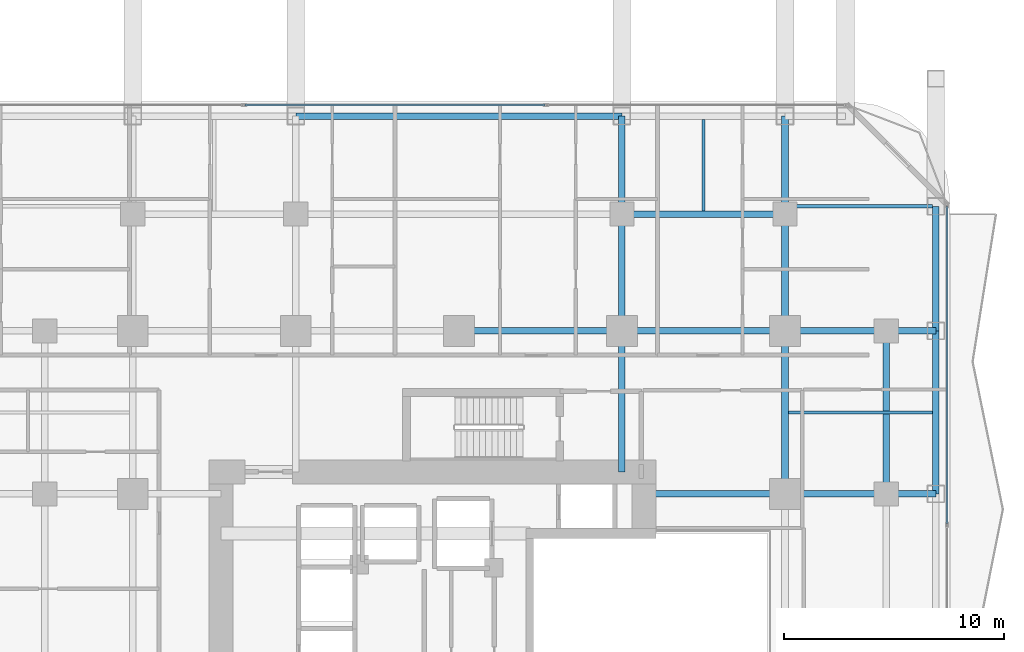
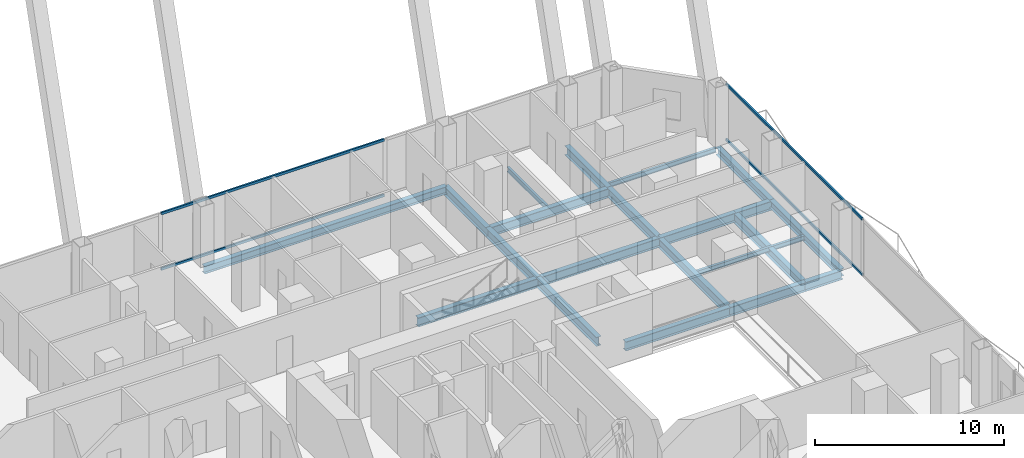
# One storey, part 18 of 33: 21 beams, 4 members, 2 elements without a shape of their own.
"""IFC4 building model written with IfcOpenShell, lengths in metres."""

from ifc_helpers import new_model, si_unit, direction, frame, origin, origin_2d, place, context, subcontext, project, spatial, hollow_rectangle, i_section, extrude, material, layer, layer_set, material_profile, profile_set, type_object, element, aggregate, save


model = new_model("IFC4")

# Units and contexts
model_context = context("Model", 3, precision=1e-05, world=origin(), true_north=direction((0.0, 1.0)))
body_context = subcontext(model_context, "Body", "Model", "MODEL_VIEW")
ifc_project = project(units=[si_unit("LENGTHUNIT", "METRE"), si_unit("AREAUNIT", "SQUARE_METRE"), si_unit("VOLUMEUNIT", "CUBIC_METRE"), si_unit("PLANEANGLEUNIT", "RADIAN"), si_unit("MASSUNIT", "GRAM", prefix="KILO")], contexts=[model_context])

# Site, building, storey
site_placement = place(None, origin())
site = spatial("IfcSite", under=ifc_project, at=site_placement, CompositionType="ELEMENT")
building_placement = place(site_placement, origin())
building = spatial("IfcBuilding", under=site, at=building_placement, Name="Khorvyn Point Tower", CompositionType="ELEMENT")
storey_placement = place(building_placement, frame((0.0, 0.0, 65.699951171875)))
storey = spatial("IfcBuildingStorey", under=building, at=storey_placement, Name="L17", CompositionType="ELEMENT", Elevation=65.699951171875)

# Curtain wall, members
ifc_material_1 = material(Name="Anodised aluminium 6063-T6 and laminated Low-E glass", Category="aluminium")
ifc_layer = layer(ifc_material_1, 0.18994140625)
ifc_layer_set = layer_set([ifc_layer], Name="Stick-Built Finned Residential Curtain Wall CW-SYS-02")
curtain_wall_type = type_object("IfcCurtainWallType", Name="Stick-Built Finned Residential Curtain Wall CW-SYS-02", PredefinedType="NOTDEFINED", material=ifc_layer_set)
curtain_wall_1_placement = place(storey_placement, origin())
curtain_wall_1 = element("IfcCurtainWall", 1, at=curtain_wall_1_placement, inside=storey, type_object=curtain_wall_type, Name="Curtain Wall", PredefinedType="NOTDEFINED")
ifc_material_2 = material(Name="Anodised aluminium 6063-T6", Category="aluminium")
ifc_material_profile_1 = material_profile(ifc_material_2, hollow_rectangle(XDim=0.10009765625, YDim=0.159912109375, WallThickness=0.00439453125, at=origin_2d()))
ifc_profile_set_1 = profile_set([ifc_material_profile_1], Name="Anodised aluminium 6063-T6 ALU-TRN-100x160")
member_type = type_object("IfcMemberType", Name="Anodised Aluminium 6063-T6 Transom ALU-TRN-100x160", PredefinedType="USERDEFINED", material=ifc_profile_set_1)
member_1_placement = place(storey_placement, frame((-9.699951171875, 25.050048828125, 0.050048828125), z_axis=(1.0, 0.0, 0.0), x_axis=(0.0, 1.0, 0.0)))
member_1 = element("IfcMember", 2, at=member_1_placement, type_object=member_type, Name="Transom", ObjectType="TRANSOM", PredefinedType="USERDEFINED", context=body_context, shape_type="SweptSolid", body=[
    extrude(hollow_rectangle(XDim=0.10009765625, YDim=0.159912109375, WallThickness=0.00439453125, at=origin_2d()), origin(), (0.0, 0.0, 1.0), 13.599853515625),
])
member_2_placement = place(storey_placement, frame((-9.699951171875, 25.050048828125, 3.630126953125), z_axis=(1.0, 0.0, 0.0), x_axis=(0.0, 1.0, 0.0)))
member_2 = element("IfcMember", 3, at=member_2_placement, type_object=member_type, Name="Transom", ObjectType="TRANSOM", PredefinedType="USERDEFINED", context=body_context, shape_type="SweptSolid", body=[
    extrude(hollow_rectangle(XDim=0.10009765625, YDim=0.159912109375, WallThickness=0.00439453125, at=origin_2d()), origin(), (0.0, 0.0, 1.0), 13.599853515625),
])
aggregate(curtain_wall_1, [member_1, member_2])

curtain_wall_2_placement = place(storey_placement, origin())
curtain_wall_2 = element("IfcCurtainWall", 4, at=curtain_wall_2_placement, inside=storey, type_object=curtain_wall_type, Name="Curtain Wall", PredefinedType="NOTDEFINED")
member_3_placement = place(storey_placement, frame((22.14990234375, 20.449951171875, 0.050048828125), z_axis=(0.0, -1.0, 0.0), x_axis=(1.0, 0.0, 0.0)))
member_3 = element("IfcMember", 5, at=member_3_placement, type_object=member_type, Name="Transom", ObjectType="TRANSOM", PredefinedType="USERDEFINED", context=body_context, shape_type="SweptSolid", body=[
    extrude(hollow_rectangle(XDim=0.10009765625, YDim=0.159912109375, WallThickness=0.00439453125, at=origin_2d()), origin(), (0.0, 0.0, 1.0), 14.39892578125),
])
member_4_placement = place(storey_placement, frame((22.14990234375, 20.449951171875, 3.630126953125), z_axis=(0.0, -1.0, 0.0), x_axis=(1.0, 0.0, 0.0)))
member_4 = element("IfcMember", 6, at=member_4_placement, type_object=member_type, Name="Transom", ObjectType="TRANSOM", PredefinedType="USERDEFINED", context=body_context, shape_type="SweptSolid", body=[
    extrude(hollow_rectangle(XDim=0.10009765625, YDim=0.159912109375, WallThickness=0.00439453125, at=origin_2d()), origin(), (0.0, 0.0, 1.0), 14.39892578125),
])
aggregate(curtain_wall_2, [member_3, member_4])

# Beams
ifc_material_3 = material(Name="Steel S355", Category="steel")
ifc_material_profile_2 = material_profile(ifc_material_3, i_section(OverallWidth=0.300048828125, OverallDepth=0.587890625, WebThickness=0.011962890625, FlangeThickness=0.02001953125, at=origin_2d()))
ifc_profile_set_2 = profile_set([ifc_material_profile_2], Name="Steel S355 H588x300x12x20")
beam_type_1 = type_object("IfcBeamType", Name="Steel S355 Beam H588x300x12x20", PredefinedType="BEAM", material=ifc_profile_set_2)
beam_1_placement = place(storey_placement, frame((0.0, 14.800048828125, -0.513916015625), z_axis=(1.0, 0.0, 0.0), x_axis=(0.0, 1.0, 0.0)))
element("IfcBeam", 7, at=beam_1_placement, inside=storey, type_object=beam_type_1, Name="Beam", PredefinedType="BEAM", context=body_context, shape_type="SweptSolid", body=[
    extrude(i_section(OverallWidth=0.300048828125, OverallDepth=0.587890625, WebThickness=0.011962890625, FlangeThickness=0.02001953125, at=origin_2d()), origin(), (0.0, 0.0, 1.0), 7.39990234375),
])
beam_2_placement = place(storey_placement, frame((7.39990234375, 14.800048828125, -0.513916015625), z_axis=(1.0, 0.0, 0.0), x_axis=(0.0, 1.0, 0.0)))
element("IfcBeam", 8, at=beam_2_placement, inside=storey, type_object=beam_type_1, Name="Beam", PredefinedType="BEAM", context=body_context, shape_type="SweptSolid", body=[
    extrude(i_section(OverallWidth=0.300048828125, OverallDepth=0.587890625, WebThickness=0.011962890625, FlangeThickness=0.02001953125, at=origin_2d()), origin(), (0.0, 0.0, 1.0), 7.400146484375),
])
beam_3_placement = place(storey_placement, frame((14.800048828125, 14.800048828125, -0.513916015625), z_axis=(1.0, 0.0, 0.0), x_axis=(0.0, 1.0, 0.0)))
element("IfcBeam", 9, at=beam_3_placement, inside=storey, type_object=beam_type_1, Name="Beam", PredefinedType="BEAM", context=body_context, shape_type="SweptSolid", body=[
    extrude(i_section(OverallWidth=0.300048828125, OverallDepth=0.587890625, WebThickness=0.011962890625, FlangeThickness=0.02001953125, at=origin_2d()), origin(), (0.0, 0.0, 1.0), 4.599853515625),
])
beam_4_placement = place(storey_placement, frame((19.39990234375, 14.800048828125, -0.513916015625), z_axis=(1.0, 0.0, 0.0), x_axis=(0.0, 1.0, 0.0)))
element("IfcBeam", 10, at=beam_4_placement, inside=storey, type_object=beam_type_1, Name="Beam", PredefinedType="BEAM", context=body_context, shape_type="SweptSolid", body=[
    extrude(i_section(OverallWidth=0.300048828125, OverallDepth=0.587890625, WebThickness=0.011962890625, FlangeThickness=0.02001953125, at=origin_2d()), origin(), (0.0, 0.0, 1.0), 2.25),
])
beam_5_placement = place(storey_placement, frame((8.39990234375, 7.39990234375, -0.513916015625), z_axis=(1.0, 0.0, 0.0), x_axis=(0.0, 1.0, 0.0)))
element("IfcBeam", 11, at=beam_5_placement, inside=storey, type_object=beam_type_1, Name="Beam", PredefinedType="BEAM", context=body_context, shape_type="SweptSolid", body=[
    extrude(i_section(OverallWidth=0.300048828125, OverallDepth=0.587890625, WebThickness=0.011962890625, FlangeThickness=0.02001953125, at=origin_2d()), origin(), (0.0, 0.0, 1.0), 6.400146484375),
])
beam_6_placement = place(storey_placement, frame((14.800048828125, 7.39990234375, -0.513916015625), z_axis=(1.0, 0.0, 0.0), x_axis=(0.0, 1.0, 0.0)))
element("IfcBeam", 12, at=beam_6_placement, inside=storey, type_object=beam_type_1, Name="Beam", PredefinedType="BEAM", context=body_context, shape_type="SweptSolid", body=[
    extrude(i_section(OverallWidth=0.300048828125, OverallDepth=0.587890625, WebThickness=0.011962890625, FlangeThickness=0.02001953125, at=origin_2d()), origin(), (0.0, 0.0, 1.0), 4.599853515625),
])
beam_7_placement = place(storey_placement, frame((19.39990234375, 7.39990234375, -0.513916015625), z_axis=(1.0, 0.0, 0.0), x_axis=(0.0, 1.0, 0.0)))
element("IfcBeam", 13, at=beam_7_placement, inside=storey, type_object=beam_type_1, Name="Beam", PredefinedType="BEAM", context=body_context, shape_type="SweptSolid", body=[
    extrude(i_section(OverallWidth=0.300048828125, OverallDepth=0.587890625, WebThickness=0.011962890625, FlangeThickness=0.02001953125, at=origin_2d()), origin(), (0.0, 0.0, 1.0), 2.25),
])
for number, where, z_axis, x_axis, name in (
    (14, (7.39990234375, 20.10009765625, -0.513916015625), (1.0, 0.0, 0.0), (0.0, 1.0, 0.0), "Beam"),
    (15, (14.800048828125, 7.39990234375, -0.513916015625), (0.0, 1.0, 0.0), (-1.0, 0.0, 0.0), "Beam"),
):
    element("IfcBeam", number, at=place(storey_placement, frame(where, z_axis=z_axis, x_axis=x_axis)), inside=storey, type_object=beam_type_1, Name=name, PredefinedType="BEAM", context=body_context, shape_type="SweptSolid", body=[
        extrude(i_section(OverallWidth=0.300048828125, OverallDepth=0.587890625, WebThickness=0.011962890625, FlangeThickness=0.02001953125, at=origin_2d()), origin(), (0.0, 0.0, 1.0), 7.400146484375),
    ])
beam_8_placement = place(storey_placement, frame((14.800048828125, 14.800048828125, -0.513916015625), z_axis=(0.0, 1.0, 0.0), x_axis=(-1.0, 0.0, 0.0)))
element("IfcBeam", 16, at=beam_8_placement, inside=storey, type_object=beam_type_1, Name="Beam", PredefinedType="BEAM", context=body_context, shape_type="SweptSolid", body=[
    extrude(i_section(OverallWidth=0.300048828125, OverallDepth=0.587890625, WebThickness=0.011962890625, FlangeThickness=0.02001953125, at=origin_2d()), origin(), (0.0, 0.0, 1.0), 5.300048828125),
])
beam_9_placement = place(storey_placement, frame((14.800048828125, 20.10009765625, -0.513916015625), z_axis=(0.0, 1.0, 0.0), x_axis=(-1.0, 0.0, 0.0)))
element("IfcBeam", 17, at=beam_9_placement, inside=storey, type_object=beam_type_1, Name="Beam", PredefinedType="BEAM", context=body_context, shape_type="SweptSolid", body=[
    extrude(i_section(OverallWidth=0.300048828125, OverallDepth=0.587890625, WebThickness=0.011962890625, FlangeThickness=0.02001953125, at=origin_2d()), origin(), (0.0, 0.0, 1.0), 4.449951171875),
])
beam_10_placement = place(storey_placement, frame((7.39990234375, 8.39990234375, -0.513916015625), z_axis=(0.0, 1.0, 0.0), x_axis=(-1.0, 0.0, 0.0)))
element("IfcBeam", 18, at=beam_10_placement, inside=storey, type_object=beam_type_1, Name="Beam", PredefinedType="BEAM", context=body_context, shape_type="SweptSolid", body=[
    extrude(i_section(OverallWidth=0.300048828125, OverallDepth=0.587890625, WebThickness=0.011962890625, FlangeThickness=0.02001953125, at=origin_2d()), origin(), (0.0, 0.0, 1.0), 6.400146484375),
])
beam_11_placement = place(storey_placement, frame((7.39990234375, 14.800048828125, -0.513916015625), z_axis=(0.0, 1.0, 0.0), x_axis=(-1.0, 0.0, 0.0)))
element("IfcBeam", 19, at=beam_11_placement, inside=storey, type_object=beam_type_1, Name="Beam", PredefinedType="BEAM", context=body_context, shape_type="SweptSolid", body=[
    extrude(i_section(OverallWidth=0.300048828125, OverallDepth=0.587890625, WebThickness=0.011962890625, FlangeThickness=0.02001953125, at=origin_2d()), origin(), (0.0, 0.0, 1.0), 5.300048828125),
])
beam_12_placement = place(storey_placement, frame((7.39990234375, 20.10009765625, -0.513916015625), z_axis=(0.0, 1.0, 0.0), x_axis=(-1.0, 0.0, 0.0)))
element("IfcBeam", 20, at=beam_12_placement, inside=storey, type_object=beam_type_1, Name="Beam", PredefinedType="BEAM", context=body_context, shape_type="SweptSolid", body=[
    extrude(i_section(OverallWidth=0.300048828125, OverallDepth=0.587890625, WebThickness=0.011962890625, FlangeThickness=0.02001953125, at=origin_2d()), origin(), (0.0, 0.0, 1.0), 4.449951171875),
])
beam_13_placement = place(storey_placement, frame((19.39990234375, 7.39990234375, -0.513916015625), z_axis=(0.0, 1.0, 0.0), x_axis=(-1.0, 0.0, 0.0)))
element("IfcBeam", 21, at=beam_13_placement, inside=storey, type_object=beam_type_1, Name="Beam", PredefinedType="BEAM", context=body_context, shape_type="SweptSolid", body=[
    extrude(i_section(OverallWidth=0.300048828125, OverallDepth=0.587890625, WebThickness=0.011962890625, FlangeThickness=0.02001953125, at=origin_2d()), origin(), (0.0, 0.0, 1.0), 7.400146484375),
])
ifc_material_profile_3 = material_profile(ifc_material_3, i_section(OverallWidth=0.14990234375, OverallDepth=0.300048828125, WebThickness=0.006591796875, FlangeThickness=0.009033203125, at=origin_2d()))
ifc_profile_set_3 = profile_set([ifc_material_profile_3], Name="Steel S355 H300x150x6.5x9")
beam_type_2 = type_object("IfcBeamType", Name="Steel S355 Joist H300x150x6.5x9", PredefinedType="JOIST", material=ifc_profile_set_3)
beam_14_placement = place(storey_placement, frame((14.949951171875, 11.10009765625, -0.369873046875), z_axis=(1.0, 0.0, 0.0), x_axis=(0.0, 1.0, 0.0)))
element("IfcBeam", 22, at=beam_14_placement, inside=storey, type_object=beam_type_2, Name="Beam", PredefinedType="JOIST", context=body_context, shape_type="SweptSolid", body=[
    extrude(i_section(OverallWidth=0.14990234375, OverallDepth=0.300048828125, WebThickness=0.006591796875, FlangeThickness=0.009033203125, at=origin_2d()), origin(), (0.0, 0.0, 1.0), 6.550048828125),
])
beam_15_placement = place(storey_placement, frame((11.10009765625, 20.25, -0.369873046875), z_axis=(0.0, 1.0, 0.0), x_axis=(-1.0, 0.0, 0.0)))
element("IfcBeam", 23, at=beam_15_placement, inside=storey, type_object=beam_type_2, Name="Beam", PredefinedType="JOIST", context=body_context, shape_type="SweptSolid", body=[
    extrude(i_section(OverallWidth=0.14990234375, OverallDepth=0.300048828125, WebThickness=0.006591796875, FlangeThickness=0.009033203125, at=origin_2d()), origin(), (0.0, 0.0, 1.0), 4.14990234375),
])
beam_16_placement = place(storey_placement, frame((14.949951171875, 20.449951171875, -0.369873046875), z_axis=(1.0, 0.0, 0.0), x_axis=(0.0, 1.0, 0.0)))
element("IfcBeam", 24, at=beam_16_placement, inside=storey, type_object=beam_type_2, Name="Beam", PredefinedType="JOIST", context=body_context, shape_type="SweptSolid", body=[
    extrude(i_section(OverallWidth=0.14990234375, OverallDepth=0.300048828125, WebThickness=0.006591796875, FlangeThickness=0.009033203125, at=origin_2d()), origin(), (0.0, 0.0, 1.0), 6.550048828125),
])
ifc_material_profile_4 = material_profile(ifc_material_3, i_section(OverallWidth=0.300048828125, OverallDepth=0.488037109375, WebThickness=0.010986328125, FlangeThickness=0.01806640625, at=origin_2d()))
ifc_profile_set_4 = profile_set([ifc_material_profile_4], Name="Steel S355 H488x300x11x18")
beam_type_3 = type_object("IfcBeamType", Name="Steel S355 Spandrel H488x300x11x18", PredefinedType="SPANDREL", material=ifc_profile_set_4)
beam_17_placement = place(storey_placement, frame((-7.39990234375, 24.550048828125, -0.4638671875), z_axis=(1.0, 0.0, 0.0), x_axis=(0.0, 1.0, 0.0)))
element("IfcBeam", 25, at=beam_17_placement, inside=storey, type_object=beam_type_3, Name="Beam", PredefinedType="SPANDREL", context=body_context, shape_type="SweptSolid", body=[
    extrude(i_section(OverallWidth=0.300048828125, OverallDepth=0.488037109375, WebThickness=0.010986328125, FlangeThickness=0.01806640625, at=origin_2d()), origin(), (0.0, 0.0, 1.0), 14.7998046875),
])
beam_18_placement = place(storey_placement, frame((21.64990234375, 7.39990234375, -0.4638671875), z_axis=(0.0, 1.0, 0.0), x_axis=(-1.0, 0.0, 0.0)))
element("IfcBeam", 26, at=beam_18_placement, inside=storey, type_object=beam_type_3, Name="Beam", PredefinedType="SPANDREL", context=body_context, shape_type="SweptSolid", body=[
    extrude(i_section(OverallWidth=0.300048828125, OverallDepth=0.488037109375, WebThickness=0.010986328125, FlangeThickness=0.01806640625, at=origin_2d()), origin(), (0.0, 0.0, 1.0), 7.400146484375),
])
beam_19_placement = place(storey_placement, frame((21.64990234375, 14.800048828125, -0.4638671875), z_axis=(0.0, 1.0, 0.0), x_axis=(-1.0, 0.0, 0.0)))
element("IfcBeam", 27, at=beam_19_placement, inside=storey, type_object=beam_type_3, Name="Beam", PredefinedType="SPANDREL", context=body_context, shape_type="SweptSolid", body=[
    extrude(i_section(OverallWidth=0.300048828125, OverallDepth=0.488037109375, WebThickness=0.010986328125, FlangeThickness=0.01806640625, at=origin_2d()), origin(), (0.0, 0.0, 1.0), 5.64990234375),
])

save(model, "model.ifc")
